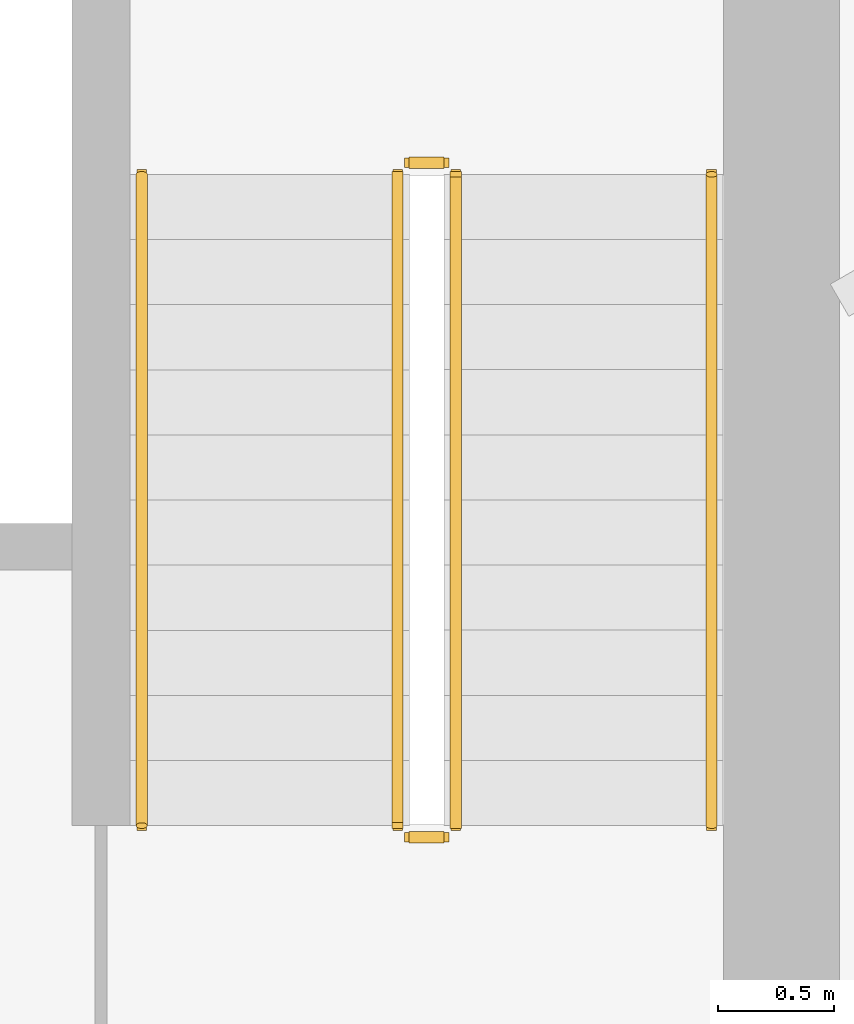
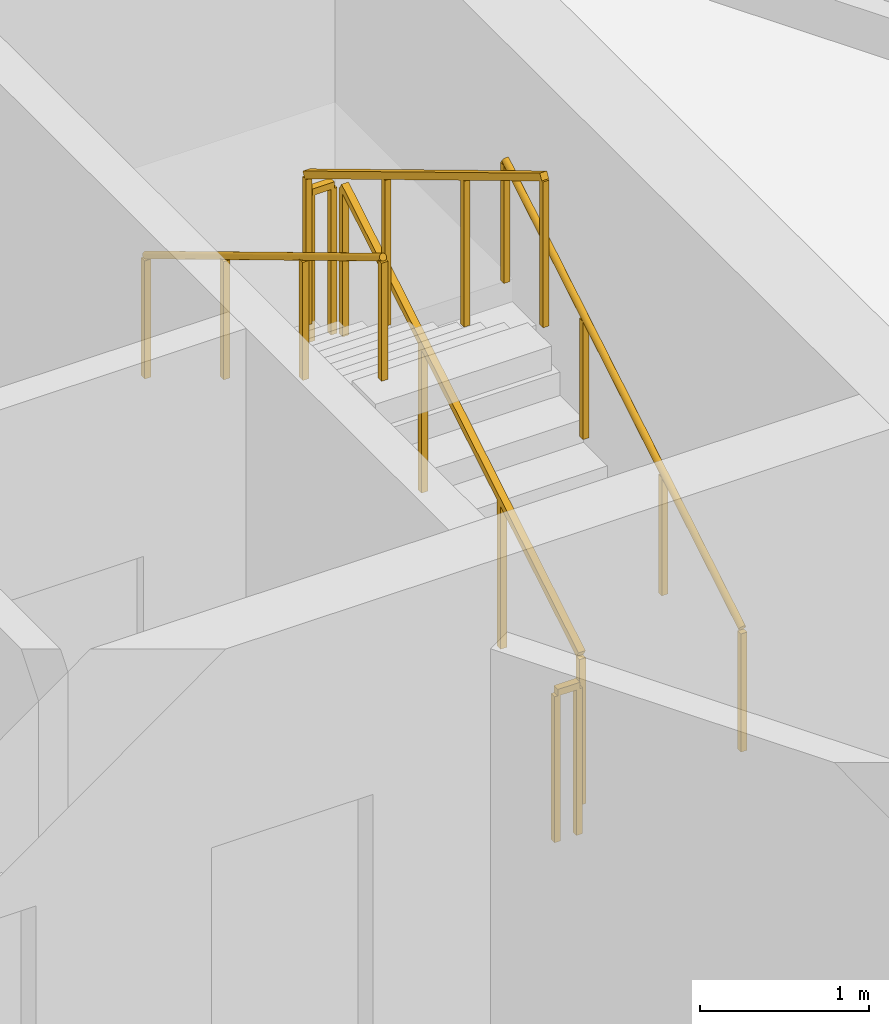
# One storey, part 13 of 13: 6 railings.
"""IFC4 building model written with IfcOpenShell, lengths in metres."""

from ifc_helpers import new_model, si_unit, direction, frame, origin, origin_2d, place, context, subcontext, project, spatial, rectangle, circle, extrude, material, type_object, element, save


model = new_model("IFC4")

# Units and contexts
model_context = context("Model", 3, precision=1e-05, world=origin(), true_north=direction((0.0, 1.0)))
body_context = subcontext(model_context, "Body", "Model", "MODEL_VIEW")
ifc_project = project(units=[si_unit("LENGTHUNIT", "METRE"), si_unit("AREAUNIT", "SQUARE_METRE"), si_unit("VOLUMEUNIT", "CUBIC_METRE"), si_unit("PLANEANGLEUNIT", "RADIAN"), si_unit("MASSUNIT", "GRAM", prefix="KILO")], contexts=[model_context])

# Site, building, storey
site_placement = place(None, origin())
site = spatial("IfcSite", under=ifc_project, at=site_placement, CompositionType="ELEMENT")
building_placement = place(site_placement, origin())
building = spatial("IfcBuilding", under=site, at=building_placement, Name="Apuvela Tower Hotel", CompositionType="ELEMENT")
storey_placement = place(building_placement, frame((0.0, 0.0, 79.800048828125)))
storey = spatial("IfcBuildingStorey", under=building, at=storey_placement, Name="L17", CompositionType="ELEMENT", Elevation=79.800048828125)

# Railings
ifc_material_1 = material(Name="Steel S275 balustrade", Category="steel")
railing_type_1 = type_object("IfcRailingType", Name="COR-GUARD-1100", PredefinedType="GUARDRAIL", material=ifc_material_1)
railing_1_placement = place(storey_placement, frame((3.85009765625, 14.60009765625, 0.168212890625)))
element("IfcRailing", 1, at=railing_1_placement, inside=storey, type_object=railing_type_1, Name="L17 ST1 stair guard 1", PredefinedType="GUARDRAIL", context=body_context, shape_type="SweptSolid", body=[
    extrude(rectangle(XDim=0.048095703125, YDim=0.048095703125, at=origin_2d()), frame((0.0, 0.0, 1.076171875), z_axis=(0.0, 0.857255387014, 0.514891446264), x_axis=(-1.0, 0.0, 0.0)), (0.0, 0.0, 1.0), 3.26611328125),
    extrude(rectangle(XDim=0.0419921875, YDim=0.0419921875, at=origin_2d()), origin(), (0.0, 0.0, 1.0), 1.052001953125),
    extrude(rectangle(XDim=0.0419921875, YDim=0.0419921875, at=origin_2d()), frame((0.0, 0.933349609375, 0.560546875)), (0.0, 0.0, 1.0), 1.052001953125),
    extrude(rectangle(XDim=0.0419921875, YDim=0.0419921875, at=origin_2d()), frame((0.0, 1.866455078125, 1.12109375)), (0.0, 0.0, 1.0), 1.052001953125),
    extrude(rectangle(XDim=0.0419921875, YDim=0.0419921875, at=origin_2d()), frame((0.0, 2.7998046875, 1.681640625)), (0.0, 0.0, 1.0), 1.052001953125),
])
railing_2_placement = place(storey_placement, frame((3.800048828125, 17.449951171875, 1.849853515625)))
element("IfcRailing", 2, at=railing_2_placement, inside=storey, type_object=railing_type_1, Name="L17 ST1 stair guard 2", PredefinedType="GUARDRAIL", context=body_context, shape_type="SweptSolid", body=[
    extrude(rectangle(XDim=0.048095703125, YDim=0.048095703125, at=origin_2d()), frame((0.0, 0.0, 1.076171875), z_axis=(-1.0, 0.0, 0.0), x_axis=(0.0, -1.0, 0.0)), (0.0, 0.0, 1.0), 0.150146484375),
    extrude(rectangle(XDim=0.0419921875, YDim=0.0419921875, at=origin_2d()), origin(), (0.0, 0.0, 1.0), 1.052001953125),
    extrude(rectangle(XDim=0.0419921875, YDim=0.0419921875, at=origin_2d()), frame((-0.150146484375, 0.0, 0.0)), (0.0, 0.0, 1.0), 1.052001953125),
])
railing_3_placement = place(storey_placement, frame((3.60009765625, 17.39990234375, 2.01806640625)))
element("IfcRailing", 3, at=railing_3_placement, inside=storey, type_object=railing_type_1, Name="L17 ST1 stair guard 3", PredefinedType="GUARDRAIL", context=body_context, shape_type="SweptSolid", body=[
    extrude(rectangle(XDim=0.048095703125, YDim=0.048095703125, at=origin_2d()), frame((0.0, 0.0, 1.076171875), z_axis=(0.0, -0.857222391501, 0.514946377315), x_axis=(1.0, 0.0, 0.0)), (0.0, 0.0, 1.0), 3.26611328125),
    extrude(rectangle(XDim=0.0419921875, YDim=0.0419921875, at=origin_2d()), origin(), (0.0, 0.0, 1.0), 1.052001953125),
    extrude(rectangle(XDim=0.0419921875, YDim=0.0419921875, at=origin_2d()), frame((0.0, -0.933349609375, 0.560546875)), (0.0, 0.0, 1.0), 1.052001953125),
    extrude(rectangle(XDim=0.0419921875, YDim=0.0419921875, at=origin_2d()), frame((0.0, -1.866455078125, 1.121337890625)), (0.0, 0.0, 1.0), 1.052001953125),
    extrude(rectangle(XDim=0.0419921875, YDim=0.0419921875, at=origin_2d()), frame((0.0, -2.7998046875, 1.681884765625)), (0.0, 0.0, 1.0), 1.052001953125),
])
railing_4_placement = place(storey_placement, frame((3.800048828125, 14.550048828125, 0.0)))
element("IfcRailing", 4, at=railing_4_placement, inside=storey, type_object=railing_type_1, Name="L17 ST1 stair guard 4", PredefinedType="GUARDRAIL", context=body_context, shape_type="SweptSolid", body=[
    extrude(rectangle(XDim=0.048095703125, YDim=0.048095703125, at=origin_2d()), frame((0.0, 0.0, 1.076171875), z_axis=(-1.0, 0.0, 0.0), x_axis=(0.0, -1.0, 0.0)), (0.0, 0.0, 1.0), 0.150146484375),
    extrude(rectangle(XDim=0.0419921875, YDim=0.0419921875, at=origin_2d()), origin(), (0.0, 0.0, 1.0), 1.052001953125),
    extrude(rectangle(XDim=0.0419921875, YDim=0.0419921875, at=origin_2d()), frame((-0.150146484375, 0.0, 0.0)), (0.0, 0.0, 1.0), 1.052001953125),
])
ifc_material_2 = material(Name="Stainless steel 316 handrail", Category="steel")
railing_type_2 = type_object("IfcRailingType", Name="COR-HANDRAIL-900", PredefinedType="HANDRAIL", material=ifc_material_2)
railing_5_placement = place(storey_placement, frame((4.949951171875, 14.60009765625, 0.168212890625)))
element("IfcRailing", 5, at=railing_5_placement, inside=storey, type_object=railing_type_2, Name="L17 ST1 stair handrail 1", PredefinedType="HANDRAIL", context=body_context, shape_type="SweptSolid", body=[
    extrude(circle(Radius=0.02392578125, at=origin_2d()), frame((0.0, 0.0, 0.8759765625), z_axis=(0.0, 0.857255387014, 0.514891446264), x_axis=(-1.0, 0.0, 0.0)), (0.0, 0.0, 1.0), 3.26611328125),
    extrude(rectangle(XDim=0.0419921875, YDim=0.0419921875, at=origin_2d()), origin(), (0.0, 0.0, 1.0), 0.851806640625),
    extrude(rectangle(XDim=0.0419921875, YDim=0.0419921875, at=origin_2d()), frame((0.0, 0.933349609375, 0.560546875)), (0.0, 0.0, 1.0), 0.851806640625),
    extrude(rectangle(XDim=0.0419921875, YDim=0.0419921875, at=origin_2d()), frame((0.0, 1.866455078125, 1.12109375)), (0.0, 0.0, 1.0), 0.851806640625),
    extrude(rectangle(XDim=0.0419921875, YDim=0.0419921875, at=origin_2d()), frame((0.0, 2.7998046875, 1.681640625)), (0.0, 0.0, 1.0), 0.851806640625),
])
railing_6_placement = place(storey_placement, frame((2.5, 17.39990234375, 2.01806640625)))
element("IfcRailing", 6, at=railing_6_placement, inside=storey, type_object=railing_type_2, Name="L17 ST1 stair handrail 2", PredefinedType="HANDRAIL", context=body_context, shape_type="SweptSolid", body=[
    extrude(circle(Radius=0.02392578125, at=origin_2d()), frame((0.0, 0.0, 0.8759765625), z_axis=(0.0, -0.857222391501, 0.514946377315), x_axis=(1.0, 0.0, 0.0)), (0.0, 0.0, 1.0), 3.26611328125),
    extrude(rectangle(XDim=0.0419921875, YDim=0.0419921875, at=origin_2d()), origin(), (0.0, 0.0, 1.0), 0.851806640625),
    extrude(rectangle(XDim=0.0419921875, YDim=0.0419921875, at=origin_2d()), frame((0.0, -0.933349609375, 0.560546875)), (0.0, 0.0, 1.0), 0.851806640625),
    extrude(rectangle(XDim=0.0419921875, YDim=0.0419921875, at=origin_2d()), frame((0.0, -1.866455078125, 1.121337890625)), (0.0, 0.0, 1.0), 0.851806640625),
    extrude(rectangle(XDim=0.0419921875, YDim=0.0419921875, at=origin_2d()), frame((0.0, -2.7998046875, 1.681884765625)), (0.0, 0.0, 1.0), 0.851806640625),
])

save(model, "model.ifc")
